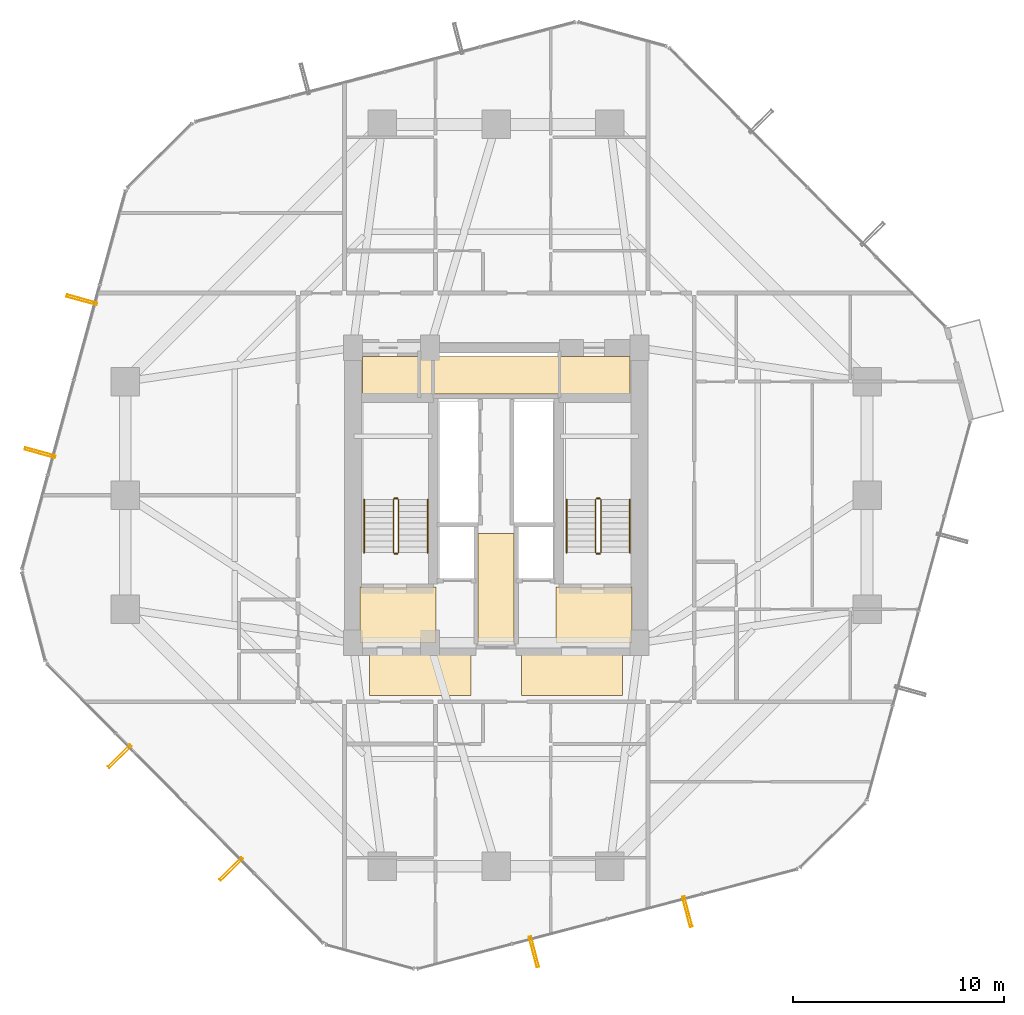
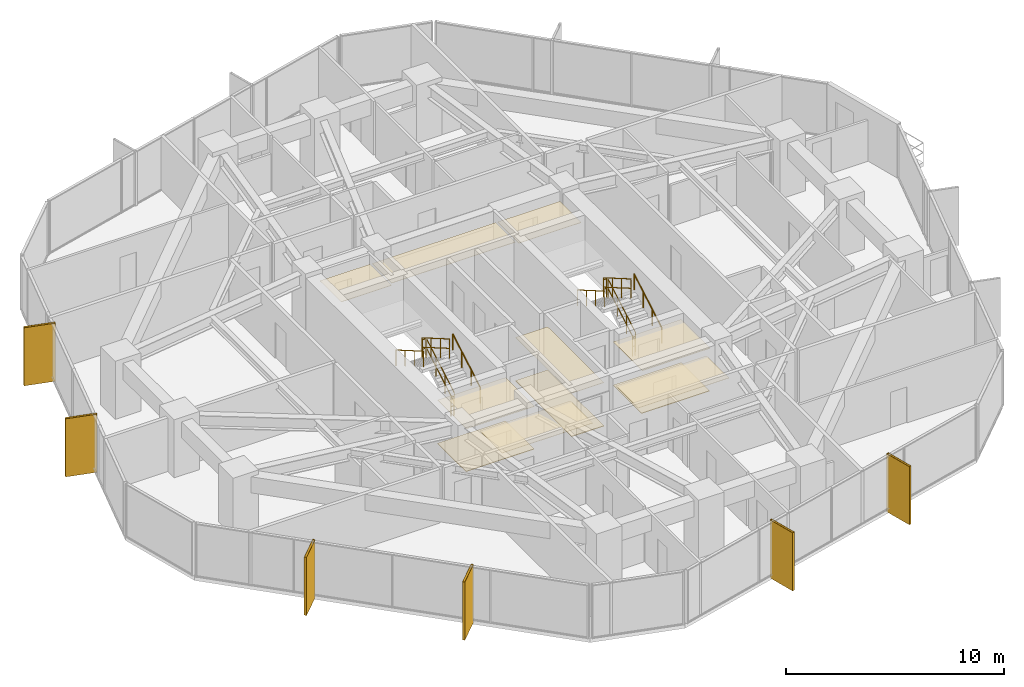
# One storey, part 38 of 39: 12 railings, 11 coverings, 6 shading devices.
"""IFC4 building model written with IfcOpenShell, lengths in metres."""

from ifc_helpers import new_model, si_unit, direction, frame, origin, origin_2d, place, context, subcontext, project, spatial, polyline, hollow_rectangle, circle, outline, extrude, material, layer, layer_set, material_profile, profile_set, type_object, element, save


model = new_model("IFC4")

# Units and contexts
model_context = context("Model", 3, precision=1e-05, world=origin(), true_north=direction((0.0, 1.0)))
body_context = subcontext(model_context, "Body", "Model", "MODEL_VIEW")
ifc_project = project(units=[si_unit("LENGTHUNIT", "METRE"), si_unit("AREAUNIT", "SQUARE_METRE"), si_unit("VOLUMEUNIT", "CUBIC_METRE"), si_unit("PLANEANGLEUNIT", "RADIAN"), si_unit("MASSUNIT", "GRAM", prefix="KILO")], contexts=[model_context])

# Site, building, storey
site_placement = place(None, origin())
site = spatial("IfcSite", under=ifc_project, at=site_placement, CompositionType="ELEMENT")
building_placement = place(site_placement, origin())
building = spatial("IfcBuilding", under=site, at=building_placement, Name="Veraguas Prism Commons", CompositionType="ELEMENT")
storey_placement = place(building_placement, frame((0.0, 0.0, 73.85009765625)))
storey = spatial("IfcBuildingStorey", under=building, at=storey_placement, Name="L20", CompositionType="ELEMENT", Elevation=73.85009765625)

# Shading devices
ifc_material_1 = material(Name="Anodised aluminium EN AW-6063 T6", Category="aluminium")
ifc_material_profile = material_profile(ifc_material_1, hollow_rectangle(XDim=0.1201171875, YDim=1.489990234375, WallThickness=0.006103515625, at=origin_2d()), Name="FIN120X1490X6")
ifc_profile_set = profile_set([ifc_material_profile], Name="Anodised aluminium EN AW-6063 T6")
shading_device_type = type_object("IfcShadingDeviceType", Name="Deep Pale-Metal Vertical Solar Fin 120x1490", PredefinedType="USERDEFINED", material=ifc_profile_set)
for number, where, z_axis, x_axis, name in (
    (1, (4.341552734375, 33.27685546875, -0.22998046875), (0.0, 0.0, 1.0), (-0.263876416904, -0.964556497361, 0.0), "Vertical Pale-Metal Solar Fin L20-F3A"),
    (2, (2.356689453125, 26.02197265625, -0.22998046875), (0.0, 0.0, 1.0), (-0.263876416904, -0.964556497361, 0.0), "Vertical Pale-Metal Solar Fin L20-F3B"),
    (3, (6.13671875, 11.61376953125, -0.22998046875), (0.0, 0.0, 1.0), (0.703395943389, -0.710798246217, 0.0), "Vertical Pale-Metal Solar Fin L20-F4A"),
    (4, (11.427490234375, 6.267333984375, -0.22998046875), (0.0, 0.0, 1.0), (0.703395943389, -0.710798246217, 0.0), "Vertical Pale-Metal Solar Fin L20-F4B"),
    (5, (25.795166015625, 2.3369140625, -0.22998046875), (0.0, 0.0, 1.0), (0.967267752776, 0.253757944585, 0.0), "Vertical Pale-Metal Solar Fin L20-F5A"),
    (6, (33.070556640625, 4.24560546875, -0.22998046875), (0.0, 0.0, 1.0), (0.967267752776, 0.253757944585, 0.0), "Vertical Pale-Metal Solar Fin L20-F5B"),
):
    element("IfcShadingDevice", number, at=place(storey_placement, frame(where, z_axis=z_axis, x_axis=x_axis)), inside=storey, type_object=shading_device_type, Name=name, ObjectType="FIN", PredefinedType="USERDEFINED", context=body_context, shape_type="SweptSolid", body=[
        extrude(hollow_rectangle(XDim=0.1201171875, YDim=1.489990234375, WallThickness=0.006103515625, at=origin_2d()), origin(), (0.0, 0.0, 1.0), 3.25),
    ])

# Coverings
ifc_material_2 = material(Name="Acoustic gypsum board")
ifc_layer_1 = layer(ifc_material_2, 0.02490234375, Name="Perforated Acoustic Ceiling Tile 25")
ifc_layer_set_1 = layer_set([ifc_layer_1], Name="Acoustic gypsum board")
covering_type_1 = type_object("IfcCoveringType", Name="Perforated Acoustic Ceiling Tile 25", PredefinedType="USERDEFINED", material=ifc_layer_set_1)
covering_1_placement = place(storey_placement, frame((0.0, 0.0, 2.4248046875)))
element("IfcCovering", 7, at=covering_1_placement, inside=storey, type_object=covering_type_1, Name="East Lobby Acoustic Ceiling L20", ObjectType="ACOUSTIC CEILING", PredefinedType="USERDEFINED", context=body_context, shape_type="SweptSolid", body=[
    extrude(outline(polyline([(26.85009765625, 17.0), (30.449951171875, 17.0), (30.449951171875, 19.64990234375), (26.85009765625, 19.64990234375), (26.85009765625, 17.0)])), origin(), (0.0, 0.0, 1.0), 0.025146484375),
])
ifc_material_3 = material(Name="Terrazzo stone finish", Category="masonry")
ifc_layer_2 = layer(ifc_material_3, 0.030029296875, Name="Polished Terrazzo Floor Finish 30", Category="masonry")
ifc_layer_set_2 = layer_set([ifc_layer_2], Name="Terrazzo stone finish")
covering_type_2 = type_object("IfcCoveringType", Name="Polished Terrazzo Floor Finish 30", PredefinedType="FLOORING", material=ifc_layer_set_2)
covering_2_placement = place(storey_placement, origin())
element("IfcCovering", 8, at=covering_2_placement, inside=storey, type_object=covering_type_2, Name="Terrazzo Lobby Flooring L20", PredefinedType="FLOORING", context=body_context, shape_type="SweptSolid", body=[
    extrude(outline(polyline([(23.14990234375, 17.050048828125), (24.85009765625, 17.050048828125), (24.85009765625, 22.199951171875), (23.14990234375, 22.199951171875), (23.14990234375, 17.050048828125)])), origin(), (0.0, 0.0, 1.0), 0.02978515625),
])
covering_3_placement = place(storey_placement, origin())
element("IfcCovering", 9, at=covering_3_placement, inside=storey, type_object=covering_type_2, Name="West FF Lobby Terrazzo Flooring L20", PredefinedType="FLOORING", context=body_context, shape_type="SweptSolid", body=[
    extrude(outline(polyline([(17.550048828125, 17.050048828125), (21.14990234375, 17.050048828125), (21.14990234375, 19.64990234375), (17.550048828125, 19.64990234375), (17.550048828125, 17.050048828125)])), origin(), (0.0, 0.0, 1.0), 0.02978515625),
])
covering_4_placement = place(storey_placement, origin())
element("IfcCovering", 10, at=covering_4_placement, inside=storey, type_object=covering_type_2, Name="East FF Lobby Terrazzo Flooring L20", PredefinedType="FLOORING", context=body_context, shape_type="SweptSolid", body=[
    extrude(outline(polyline([(26.85009765625, 17.050048828125), (30.449951171875, 17.050048828125), (30.449951171875, 19.64990234375), (26.85009765625, 19.64990234375), (26.85009765625, 17.050048828125)])), origin(), (0.0, 0.0, 1.0), 0.02978515625),
])

# Railings
ifc_material_4 = material(Name="Stainless steel AISI 316", Category="steel")
railing_type_1 = type_object("IfcRailingType", Name="Stair and Ramp Stainless Handrail 900", PredefinedType="HANDRAIL", material=ifc_material_4)
railing_1_placement = place(storey_placement, frame((20.75, 21.280029296875, 0.162353515625)))
element("IfcRailing", 11, at=railing_1_placement, inside=storey, type_object=railing_type_1, Name="Stair Handrail ST-01 L20-1", PredefinedType="HANDRAIL", context=body_context, shape_type="SweptSolid", body=[
    extrude(circle(Radius=0.02392578125, at=origin_2d()), frame((0.0, 0.0, 0.8759765625), z_axis=(0.0, 0.864876961378, 0.501983905795), x_axis=(-1.0, 0.0, 0.0)), (0.0, 0.0, 1.0), 2.913818359375),
    extrude(circle(Radius=0.02099609375, at=origin_2d()), origin(), (0.0, 0.0, 1.0), 0.851806640625),
    extrude(circle(Radius=0.02099609375, at=origin_2d()), frame((0.0, 0.840087890625, 0.487548828125)), (0.0, 0.0, 1.0), 0.851806640625),
    extrude(circle(Radius=0.02099609375, at=origin_2d()), frame((0.0, 1.679931640625, 0.97509765625)), (0.0, 0.0, 1.0), 0.851806640625),
    extrude(circle(Radius=0.02099609375, at=origin_2d()), frame((0.0, 2.52001953125, 1.462646484375)), (0.0, 0.0, 1.0), 0.851806640625),
])
railing_2_placement = place(storey_placement, frame((17.739990234375, 23.800048828125, 1.787353515625)))
element("IfcRailing", 12, at=railing_2_placement, inside=storey, type_object=railing_type_1, Name="Stair Handrail ST-01 L20-2", PredefinedType="HANDRAIL", context=body_context, shape_type="SweptSolid", body=[
    extrude(circle(Radius=0.02392578125, at=origin_2d()), frame((0.0, 0.0, 0.8759765625), z_axis=(0.0, -0.864876961378, 0.501983905795), x_axis=(1.0, 0.0, 0.0)), (0.0, 0.0, 1.0), 2.913818359375),
    extrude(circle(Radius=0.02099609375, at=origin_2d()), origin(), (0.0, 0.0, 1.0), 0.851806640625),
    extrude(circle(Radius=0.02099609375, at=origin_2d()), frame((0.0, -0.840087890625, 0.487548828125)), (0.0, 0.0, 1.0), 0.851806640625),
    extrude(circle(Radius=0.02099609375, at=origin_2d()), frame((0.0, -1.679931640625, 0.97509765625)), (0.0, 0.0, 1.0), 0.851806640625),
    extrude(circle(Radius=0.02099609375, at=origin_2d()), frame((0.0, -2.52001953125, 1.462646484375)), (0.0, 0.0, 1.0), 0.851806640625),
])
railing_3_placement = place(storey_placement, frame((30.35009765625, 21.280029296875, 0.162353515625)))
element("IfcRailing", 13, at=railing_3_placement, inside=storey, type_object=railing_type_1, Name="Stair Handrail ST-02 L20-1", PredefinedType="HANDRAIL", context=body_context, shape_type="SweptSolid", body=[
    extrude(circle(Radius=0.02392578125, at=origin_2d()), frame((0.0, 0.0, 0.8759765625), z_axis=(0.0, 0.864876961378, 0.501983905795), x_axis=(-1.0, 0.0, 0.0)), (0.0, 0.0, 1.0), 2.913818359375),
    extrude(circle(Radius=0.02099609375, at=origin_2d()), origin(), (0.0, 0.0, 1.0), 0.851806640625),
    extrude(circle(Radius=0.02099609375, at=origin_2d()), frame((0.0, 0.840087890625, 0.487548828125)), (0.0, 0.0, 1.0), 0.851806640625),
    extrude(circle(Radius=0.02099609375, at=origin_2d()), frame((0.0, 1.679931640625, 0.97509765625)), (0.0, 0.0, 1.0), 0.851806640625),
    extrude(circle(Radius=0.02099609375, at=origin_2d()), frame((0.0, 2.52001953125, 1.462646484375)), (0.0, 0.0, 1.0), 0.851806640625),
])
railing_4_placement = place(storey_placement, frame((27.340087890625, 23.800048828125, 1.787353515625)))
element("IfcRailing", 14, at=railing_4_placement, inside=storey, type_object=railing_type_1, Name="Stair Handrail ST-02 L20-2", PredefinedType="HANDRAIL", context=body_context, shape_type="SweptSolid", body=[
    extrude(circle(Radius=0.02392578125, at=origin_2d()), frame((0.0, 0.0, 0.8759765625), z_axis=(0.0, -0.864876961378, 0.501983905795), x_axis=(1.0, 0.0, 0.0)), (0.0, 0.0, 1.0), 2.913818359375),
    extrude(circle(Radius=0.02099609375, at=origin_2d()), origin(), (0.0, 0.0, 1.0), 0.851806640625),
    extrude(circle(Radius=0.02099609375, at=origin_2d()), frame((0.0, -0.840087890625, 0.487548828125)), (0.0, 0.0, 1.0), 0.851806640625),
    extrude(circle(Radius=0.02099609375, at=origin_2d()), frame((0.0, -1.679931640625, 0.97509765625)), (0.0, 0.0, 1.0), 0.851806640625),
    extrude(circle(Radius=0.02099609375, at=origin_2d()), frame((0.0, -2.52001953125, 1.462646484375)), (0.0, 0.0, 1.0), 0.851806640625),
])
railing_type_2 = type_object("IfcRailingType", Name="Stairwell Safety Guardrail 1100", PredefinedType="GUARDRAIL", material=ifc_material_4)
railing_5_placement = place(storey_placement, frame((19.3701171875, 21.280029296875, 0.162353515625)))
element("IfcRailing", 15, at=railing_5_placement, inside=storey, type_object=railing_type_2, Name="Stair Guard ST-01 L20-1", PredefinedType="GUARDRAIL", context=body_context, shape_type="SweptSolid", body=[
    extrude(circle(Radius=0.02392578125, at=origin_2d()), frame((0.0, 0.0, 1.076171875), z_axis=(0.0, 0.864876961378, 0.501983905795), x_axis=(-1.0, 0.0, 0.0)), (0.0, 0.0, 1.0), 2.913818359375),
    extrude(circle(Radius=0.02392578125, at=origin_2d()), frame((0.0, 0.0, 0.550048828125), z_axis=(0.0, 0.864876961378, 0.501983905795), x_axis=(-1.0, 0.0, 0.0)), (0.0, 0.0, 1.0), 2.913818359375),
    extrude(circle(Radius=0.02099609375, at=origin_2d()), origin(), (0.0, 0.0, 1.0), 1.052001953125),
    extrude(circle(Radius=0.02099609375, at=origin_2d()), frame((0.0, 0.840087890625, 0.487548828125)), (0.0, 0.0, 1.0), 1.052001953125),
    extrude(circle(Radius=0.02099609375, at=origin_2d()), frame((0.0, 1.679931640625, 0.97509765625)), (0.0, 0.0, 1.0), 1.052001953125),
    extrude(circle(Radius=0.02099609375, at=origin_2d()), frame((0.0, 2.52001953125, 1.462646484375)), (0.0, 0.0, 1.0), 1.052001953125),
])
railing_6_placement = place(storey_placement, frame((19.320068359375, 23.85009765625, 1.625)))
element("IfcRailing", 16, at=railing_6_placement, inside=storey, type_object=railing_type_2, Name="Stair Guard ST-01 L20-2", PredefinedType="GUARDRAIL", context=body_context, shape_type="SweptSolid", body=[
    extrude(circle(Radius=0.02392578125, at=origin_2d()), frame((0.0, 0.0, 1.076171875), z_axis=(-1.0, 0.0, 0.0), x_axis=(0.0, -1.0, 0.0)), (0.0, 0.0, 1.0), 0.150146484375),
    extrude(circle(Radius=0.02392578125, at=origin_2d()), frame((0.0, 0.0, 0.550048828125), z_axis=(-1.0, 0.0, 0.0), x_axis=(0.0, -1.0, 0.0)), (0.0, 0.0, 1.0), 0.150146484375),
    extrude(circle(Radius=0.02099609375, at=origin_2d()), origin(), (0.0, 0.0, 1.0), 1.052001953125),
    extrude(circle(Radius=0.02099609375, at=origin_2d()), frame((-0.150146484375, 0.0, 0.0)), (0.0, 0.0, 1.0), 1.052001953125),
])
railing_7_placement = place(storey_placement, frame((19.1201171875, 23.800048828125, 1.787353515625)))
element("IfcRailing", 17, at=railing_7_placement, inside=storey, type_object=railing_type_2, Name="Stair Guard ST-01 L20-3", PredefinedType="GUARDRAIL", context=body_context, shape_type="SweptSolid", body=[
    extrude(circle(Radius=0.02392578125, at=origin_2d()), frame((0.0, 0.0, 1.076171875), z_axis=(0.0, -0.864876961378, 0.501983905795), x_axis=(1.0, 0.0, 0.0)), (0.0, 0.0, 1.0), 2.913818359375),
    extrude(circle(Radius=0.02392578125, at=origin_2d()), frame((0.0, 0.0, 0.550048828125), z_axis=(0.0, -0.864876961378, 0.501983905795), x_axis=(1.0, 0.0, 0.0)), (0.0, 0.0, 1.0), 2.913818359375),
    extrude(circle(Radius=0.02099609375, at=origin_2d()), origin(), (0.0, 0.0, 1.0), 1.052001953125),
    extrude(circle(Radius=0.02099609375, at=origin_2d()), frame((0.0, -0.840087890625, 0.487548828125)), (0.0, 0.0, 1.0), 1.052001953125),
    extrude(circle(Radius=0.02099609375, at=origin_2d()), frame((0.0, -1.679931640625, 0.97509765625)), (0.0, 0.0, 1.0), 1.052001953125),
    extrude(circle(Radius=0.02099609375, at=origin_2d()), frame((0.0, -2.52001953125, 1.462646484375)), (0.0, 0.0, 1.0), 1.052001953125),
])
railing_8_placement = place(storey_placement, frame((19.320068359375, 21.22998046875, 0.0)))
element("IfcRailing", 18, at=railing_8_placement, inside=storey, type_object=railing_type_2, Name="Stair Guard ST-01 L20-4", PredefinedType="GUARDRAIL", context=body_context, shape_type="SweptSolid", body=[
    extrude(circle(Radius=0.02392578125, at=origin_2d()), frame((0.0, 0.0, 1.076171875), z_axis=(-1.0, 0.0, 0.0), x_axis=(0.0, -1.0, 0.0)), (0.0, 0.0, 1.0), 0.150146484375),
    extrude(circle(Radius=0.02392578125, at=origin_2d()), frame((0.0, 0.0, 0.550048828125), z_axis=(-1.0, 0.0, 0.0), x_axis=(0.0, -1.0, 0.0)), (0.0, 0.0, 1.0), 0.150146484375),
    extrude(circle(Radius=0.02099609375, at=origin_2d()), origin(), (0.0, 0.0, 1.0), 1.052001953125),
    extrude(circle(Radius=0.02099609375, at=origin_2d()), frame((-0.150146484375, 0.0, 0.0)), (0.0, 0.0, 1.0), 1.052001953125),
])
railing_9_placement = place(storey_placement, frame((28.969970703125, 21.280029296875, 0.162353515625)))
element("IfcRailing", 19, at=railing_9_placement, inside=storey, type_object=railing_type_2, Name="Stair Guard ST-02 L20-1", PredefinedType="GUARDRAIL", context=body_context, shape_type="SweptSolid", body=[
    extrude(circle(Radius=0.02392578125, at=origin_2d()), frame((0.0, 0.0, 1.076171875), z_axis=(0.0, 0.864876961378, 0.501983905795), x_axis=(-1.0, 0.0, 0.0)), (0.0, 0.0, 1.0), 2.913818359375),
    extrude(circle(Radius=0.02392578125, at=origin_2d()), frame((0.0, 0.0, 0.550048828125), z_axis=(0.0, 0.864876961378, 0.501983905795), x_axis=(-1.0, 0.0, 0.0)), (0.0, 0.0, 1.0), 2.913818359375),
    extrude(circle(Radius=0.02099609375, at=origin_2d()), origin(), (0.0, 0.0, 1.0), 1.052001953125),
    extrude(circle(Radius=0.02099609375, at=origin_2d()), frame((0.0, 0.840087890625, 0.487548828125)), (0.0, 0.0, 1.0), 1.052001953125),
    extrude(circle(Radius=0.02099609375, at=origin_2d()), frame((0.0, 1.679931640625, 0.97509765625)), (0.0, 0.0, 1.0), 1.052001953125),
    extrude(circle(Radius=0.02099609375, at=origin_2d()), frame((0.0, 2.52001953125, 1.462646484375)), (0.0, 0.0, 1.0), 1.052001953125),
])
railing_10_placement = place(storey_placement, frame((28.919921875, 23.85009765625, 1.625)))
element("IfcRailing", 20, at=railing_10_placement, inside=storey, type_object=railing_type_2, Name="Stair Guard ST-02 L20-2", PredefinedType="GUARDRAIL", context=body_context, shape_type="SweptSolid", body=[
    extrude(circle(Radius=0.02392578125, at=origin_2d()), frame((0.0, 0.0, 1.076171875), z_axis=(-1.0, 0.0, 0.0), x_axis=(0.0, -1.0, 0.0)), (0.0, 0.0, 1.0), 0.14990234375),
    extrude(circle(Radius=0.02392578125, at=origin_2d()), frame((0.0, 0.0, 0.550048828125), z_axis=(-1.0, 0.0, 0.0), x_axis=(0.0, -1.0, 0.0)), (0.0, 0.0, 1.0), 0.14990234375),
    extrude(circle(Radius=0.02099609375, at=origin_2d()), origin(), (0.0, 0.0, 1.0), 1.052001953125),
    extrude(circle(Radius=0.02099609375, at=origin_2d()), frame((-0.14990234375, 0.0, 0.0)), (0.0, 0.0, 1.0), 1.052001953125),
])
railing_11_placement = place(storey_placement, frame((28.719970703125, 23.800048828125, 1.787353515625)))
element("IfcRailing", 21, at=railing_11_placement, inside=storey, type_object=railing_type_2, Name="Stair Guard ST-02 L20-3", PredefinedType="GUARDRAIL", context=body_context, shape_type="SweptSolid", body=[
    extrude(circle(Radius=0.02392578125, at=origin_2d()), frame((0.0, 0.0, 1.076171875), z_axis=(0.0, -0.864876961378, 0.501983905795), x_axis=(1.0, 0.0, 0.0)), (0.0, 0.0, 1.0), 2.913818359375),
    extrude(circle(Radius=0.02392578125, at=origin_2d()), frame((0.0, 0.0, 0.550048828125), z_axis=(0.0, -0.864876961378, 0.501983905795), x_axis=(1.0, 0.0, 0.0)), (0.0, 0.0, 1.0), 2.913818359375),
    extrude(circle(Radius=0.02099609375, at=origin_2d()), origin(), (0.0, 0.0, 1.0), 1.052001953125),
    extrude(circle(Radius=0.02099609375, at=origin_2d()), frame((0.0, -0.840087890625, 0.487548828125)), (0.0, 0.0, 1.0), 1.052001953125),
    extrude(circle(Radius=0.02099609375, at=origin_2d()), frame((0.0, -1.679931640625, 0.97509765625)), (0.0, 0.0, 1.0), 1.052001953125),
    extrude(circle(Radius=0.02099609375, at=origin_2d()), frame((0.0, -2.52001953125, 1.462646484375)), (0.0, 0.0, 1.0), 1.052001953125),
])
railing_12_placement = place(storey_placement, frame((28.919921875, 21.22998046875, 0.0)))
element("IfcRailing", 22, at=railing_12_placement, inside=storey, type_object=railing_type_2, Name="Stair Guard ST-02 L20-4", PredefinedType="GUARDRAIL", context=body_context, shape_type="SweptSolid", body=[
    extrude(circle(Radius=0.02392578125, at=origin_2d()), frame((0.0, 0.0, 1.076171875), z_axis=(-1.0, 0.0, 0.0), x_axis=(0.0, -1.0, 0.0)), (0.0, 0.0, 1.0), 0.14990234375),
    extrude(circle(Radius=0.02392578125, at=origin_2d()), frame((0.0, 0.0, 0.550048828125), z_axis=(-1.0, 0.0, 0.0), x_axis=(0.0, -1.0, 0.0)), (0.0, 0.0, 1.0), 0.14990234375),
    extrude(circle(Radius=0.02099609375, at=origin_2d()), origin(), (0.0, 0.0, 1.0), 1.052001953125),
    extrude(circle(Radius=0.02099609375, at=origin_2d()), frame((-0.14990234375, 0.0, 0.0)), (0.0, 0.0, 1.0), 1.052001953125),
])

# Coverings
ifc_layer_3 = layer(ifc_material_2, 0.02001953125, Name="Suspended Gypsum Ceiling 20")
ifc_layer_set_3 = layer_set([ifc_layer_3], Name="Acoustic gypsum board")
covering_type_3 = type_object("IfcCoveringType", Name="Suspended Gypsum Ceiling 20", PredefinedType="CEILING", material=ifc_layer_set_3)
covering_5_placement = place(storey_placement, frame((0.0, 0.0, 2.429931640625)))
element("IfcCovering", 23, at=covering_5_placement, inside=storey, type_object=covering_type_3, Name="West Lobby Suspended Gypsum Ceiling L20", PredefinedType="CEILING", context=body_context, shape_type="SweptSolid", body=[
    extrude(outline(polyline([(17.550048828125, 17.0), (21.14990234375, 17.0), (21.14990234375, 19.64990234375), (17.550048828125, 19.64990234375), (17.550048828125, 17.0)])), origin(), (0.0, 0.0, 1.0), 0.02001953125),
])
covering_6_placement = place(storey_placement, frame((0.0, 0.0, 2.429931640625)))
element("IfcCovering", 24, at=covering_6_placement, inside=storey, type_object=covering_type_3, Name="Core Lobby Acoustic Ceiling L20-1", PredefinedType="CEILING", context=body_context, shape_type="SweptSolid", body=[
    extrude(outline(polyline([(18.0, 14.5), (22.800048828125, 14.5), (22.800048828125, 16.550048828125), (18.0, 16.550048828125), (18.0, 14.5)])), origin(), (0.0, 0.0, 1.0), 0.02001953125),
])
covering_7_placement = place(storey_placement, frame((0.0, 0.0, 2.429931640625)))
element("IfcCovering", 25, at=covering_7_placement, inside=storey, type_object=covering_type_3, Name="Core Lobby Acoustic Ceiling L20-2", PredefinedType="CEILING", context=body_context, shape_type="SweptSolid", body=[
    extrude(outline(polyline([(25.199951171875, 14.5), (30.0, 14.5), (30.0, 16.550048828125), (25.199951171875, 16.550048828125), (25.199951171875, 14.5)])), origin(), (0.0, 0.0, 1.0), 0.02001953125),
])
covering_8_placement = place(storey_placement, frame((0.0, 0.0, 2.429931640625)))
element("IfcCovering", 26, at=covering_8_placement, inside=storey, type_object=covering_type_3, Name="Core Lobby Acoustic Ceiling L20-3", PredefinedType="CEILING", context=body_context, shape_type="SweptSolid", body=[
    extrude(outline(polyline([(23.14990234375, 17.050048828125), (24.85009765625, 17.050048828125), (24.85009765625, 22.199951171875), (23.14990234375, 22.199951171875), (23.14990234375, 17.050048828125)])), origin(), (0.0, 0.0, 1.0), 0.02001953125),
])
covering_9_placement = place(storey_placement, frame((0.0, 0.0, 2.429931640625)))
element("IfcCovering", 27, at=covering_9_placement, inside=storey, type_object=covering_type_3, Name="Core Lobby Acoustic Ceiling L20-4", PredefinedType="CEILING", context=body_context, shape_type="SweptSolid", body=[
    extrude(outline(polyline([(17.64990234375, 28.64990234375), (20.300048828125, 28.64990234375), (20.300048828125, 30.60009765625), (17.64990234375, 30.60009765625), (17.64990234375, 28.64990234375)])), origin(), (0.0, 0.0, 1.0), 0.02001953125),
])
covering_10_placement = place(storey_placement, frame((0.0, 0.0, 2.429931640625)))
element("IfcCovering", 28, at=covering_10_placement, inside=storey, type_object=covering_type_3, Name="Core Lobby Acoustic Ceiling L20-5", PredefinedType="CEILING", context=body_context, shape_type="SweptSolid", body=[
    extrude(outline(polyline([(27.050048828125, 28.64990234375), (30.35009765625, 28.64990234375), (30.35009765625, 30.60009765625), (27.050048828125, 30.60009765625), (27.050048828125, 28.64990234375)])), origin(), (0.0, 0.0, 1.0), 0.02001953125),
])
covering_11_placement = place(storey_placement, frame((0.0, 0.0, 2.429931640625)))
element("IfcCovering", 29, at=covering_11_placement, inside=storey, type_object=covering_type_3, Name="Core Lobby Acoustic Ceiling L20-6", PredefinedType="CEILING", context=body_context, shape_type="SweptSolid", body=[
    extrude(outline(polyline([(20.39990234375, 28.800048828125), (26.949951171875, 28.800048828125), (26.949951171875, 30.60009765625), (20.39990234375, 30.60009765625), (20.39990234375, 28.800048828125)])), origin(), (0.0, 0.0, 1.0), 0.02001953125),
])

save(model, "model.ifc")
